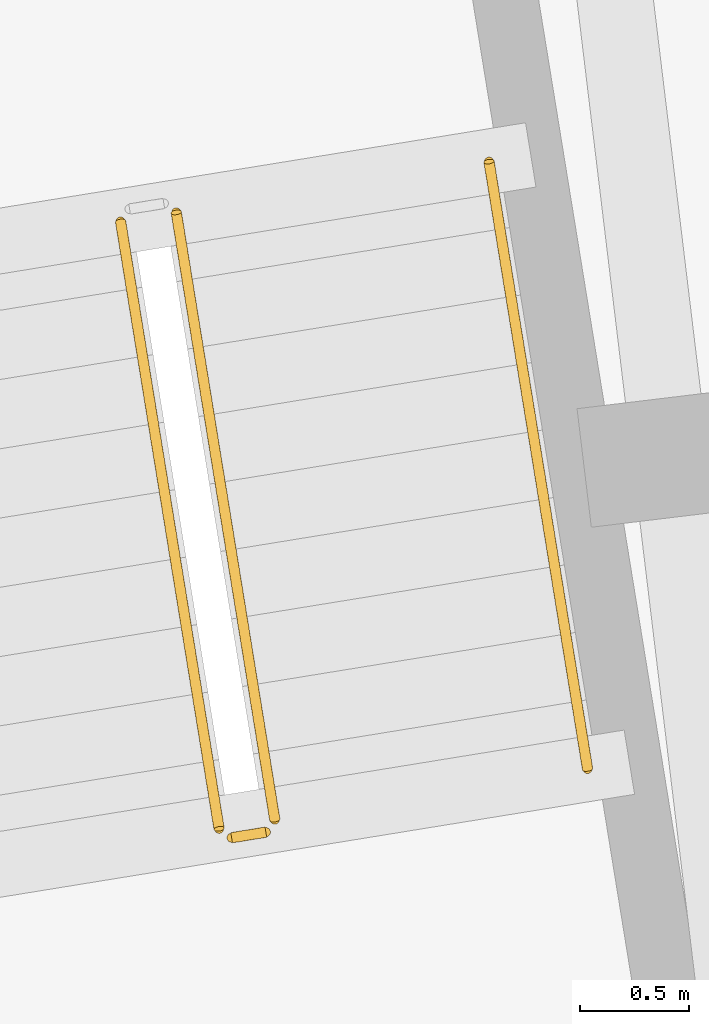
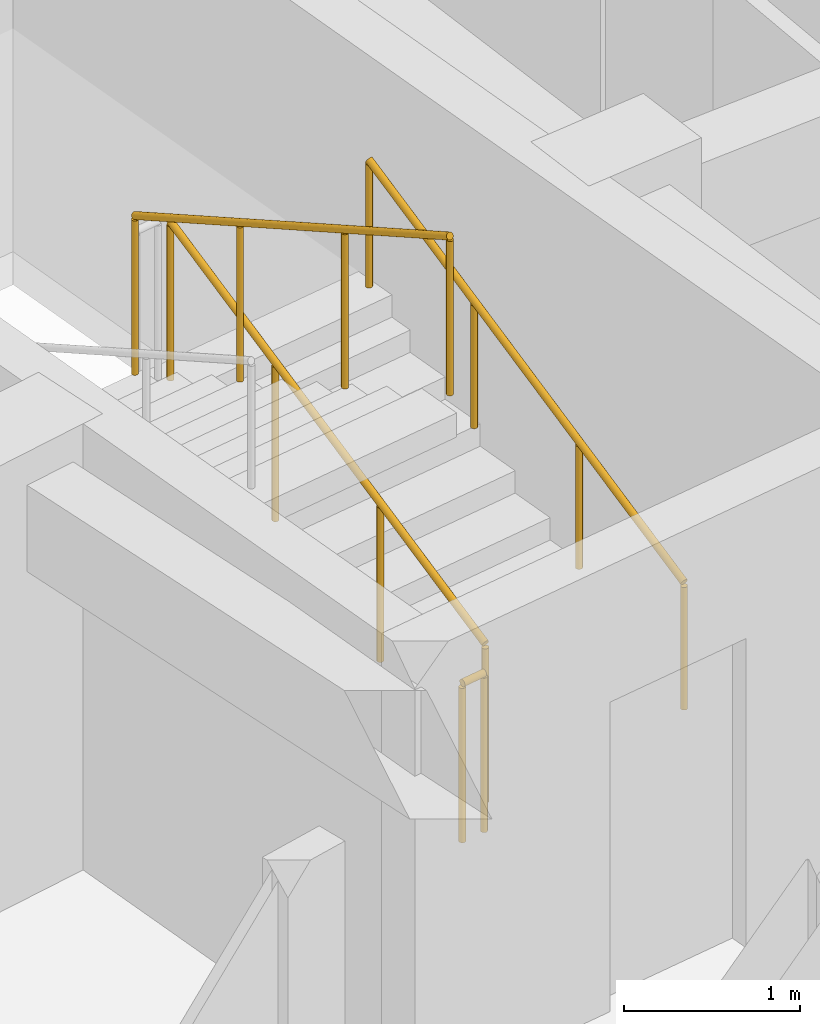
# One storey, part 44 of 56: 4 railings.
"""IFC4 building model written with IfcOpenShell, lengths in metres."""

from ifc_helpers import new_model, si_unit, direction, frame, origin, origin_2d, place, context, subcontext, project, spatial, circle, extrude, material, type_object, element, save


model = new_model("IFC4")

# Units and contexts
model_context = context("Model", 3, precision=1e-05, world=origin(), true_north=direction((0.0, 1.0)))
body_context = subcontext(model_context, "Body", "Model", "MODEL_VIEW")
ifc_project = project(units=[si_unit("LENGTHUNIT", "METRE"), si_unit("AREAUNIT", "SQUARE_METRE"), si_unit("VOLUMEUNIT", "CUBIC_METRE"), si_unit("PLANEANGLEUNIT", "RADIAN"), si_unit("MASSUNIT", "GRAM", prefix="KILO")], contexts=[model_context])

# Site, building, storey
site_placement = place(None, origin())
site = spatial("IfcSite", under=ifc_project, at=site_placement, CompositionType="ELEMENT")
building_placement = place(site_placement, origin())
building = spatial("IfcBuilding", under=site, at=building_placement, Name="Zimvara Arc Housing Community", CompositionType="ELEMENT")
storey_placement = place(building_placement, frame((0.0, 0.0, 17.39990234375)))
storey = spatial("IfcBuildingStorey", under=building, at=storey_placement, Name="L05", CompositionType="ELEMENT", Elevation=17.39990234375)

# Railings
ifc_material_1 = material(Name="Anodised Aluminium AW-6063", Category="aluminium")
railing_type_1 = type_object("IfcRailingType", Name="RLG-BAL-1120", PredefinedType="BALUSTRADE", material=ifc_material_1)
railing_1_placement = place(storey_placement, frame((36.732421875, 96.243896484375, 0.155029296875)))
element("IfcRailing", 1, at=railing_1_placement, inside=storey, type_object=railing_type_1, Name="L05 ST-A2 stair guard 1", PredefinedType="BALUSTRADE", context=body_context, shape_type="SweptSolid", body=[
    extrude(circle(Radius=0.02392578125, at=origin_2d()), frame((0.0, 0.0, 1.09619140625), z_axis=(-0.143721784145, 0.885666177347, 0.441519502474), x_axis=(-0.987087819028, -0.160180016, 0.0)), (0.0, 0.0, 1.0), 3.15966796875),
    extrude(circle(Radius=0.02099609375, at=origin_2d()), origin(), (0.0, 0.0, 1.0), 1.072021484375),
    extrude(circle(Radius=0.02099609375, at=origin_2d()), frame((-0.1513671875, 0.932861328125, 0.465087890625)), (0.0, 0.0, 1.0), 1.072021484375),
    extrude(circle(Radius=0.02099609375, at=origin_2d()), frame((-0.302734375, 1.865478515625, 0.929931640625)), (0.0, 0.0, 1.0), 1.072021484375),
    extrude(circle(Radius=0.02099609375, at=origin_2d()), frame((-0.4541015625, 2.79833984375, 1.39501953125)), (0.0, 0.0, 1.0), 1.072021484375),
])
railing_2_placement = place(storey_placement, frame((36.021728515625, 99.00048828125, 1.705078125)))
element("IfcRailing", 2, at=railing_2_placement, inside=storey, type_object=railing_type_1, Name="L05 ST-A2 stair guard 3", PredefinedType="BALUSTRADE", context=body_context, shape_type="SweptSolid", body=[
    extrude(circle(Radius=0.02392578125, at=origin_2d()), frame((0.0, 0.0, 1.09619140625), z_axis=(0.143721784145, -0.885666177347, 0.441519502474), x_axis=(0.987087819028, 0.160180016, 0.0)), (0.0, 0.0, 1.0), 3.15966796875),
    extrude(circle(Radius=0.02099609375, at=origin_2d()), origin(), (0.0, 0.0, 1.0), 1.072021484375),
    extrude(circle(Radius=0.02099609375, at=origin_2d()), frame((0.1513671875, -0.932861328125, 0.465087890625)), (0.0, 0.0, 1.0), 1.072021484375),
    extrude(circle(Radius=0.02099609375, at=origin_2d()), frame((0.302734375, -1.865478515625, 0.929931640625)), (0.0, 0.0, 1.0), 1.072021484375),
    extrude(circle(Radius=0.02099609375, at=origin_2d()), frame((0.4541015625, -2.79833984375, 1.39501953125)), (0.0, 0.0, 1.0), 1.072021484375),
])
railing_3_placement = place(storey_placement, frame((36.691162109375, 96.1865234375, 0.0)))
element("IfcRailing", 3, at=railing_3_placement, inside=storey, type_object=railing_type_1, Name="L05 ST-A2 stair guard 4", PredefinedType="BALUSTRADE", context=body_context, shape_type="SweptSolid", body=[
    extrude(circle(Radius=0.02392578125, at=origin_2d()), frame((0.0, 0.0, 1.09619140625), z_axis=(-0.987085924886, -0.160191687964, 0.0), x_axis=(0.160191687964, -0.987085924886, 0.0)), (0.0, 0.0, 1.0), 0.159912109375),
    extrude(circle(Radius=0.02099609375, at=origin_2d()), origin(), (0.0, 0.0, 1.0), 1.072021484375),
    extrude(circle(Radius=0.02099609375, at=origin_2d()), frame((-0.157958984375, -0.025634765625, 0.0)), (0.0, 0.0, 1.0), 1.072021484375),
])
ifc_material_2 = material(Name="Anodised Aluminium AW-6063", Category="aluminium")
railing_type_2 = type_object("IfcRailingType", Name="RLG-HND-900", PredefinedType="HANDRAIL", material=ifc_material_2)
railing_4_placement = place(storey_placement, frame((38.173583984375, 96.477783203125, 0.155029296875)))
element("IfcRailing", 4, at=railing_4_placement, inside=storey, type_object=railing_type_2, Name="L05 ST-A2 stair handrail 1", PredefinedType="HANDRAIL", context=body_context, shape_type="SweptSolid", body=[
    extrude(circle(Radius=0.02392578125, at=origin_2d()), frame((0.0, 0.0, 0.8759765625), z_axis=(-0.143721784145, 0.885666177347, 0.441519502474), x_axis=(-0.987087819028, -0.160180016, 0.0)), (0.0, 0.0, 1.0), 3.15966796875),
    extrude(circle(Radius=0.02099609375, at=origin_2d()), origin(), (0.0, 0.0, 1.0), 0.851806640625),
    extrude(circle(Radius=0.02099609375, at=origin_2d()), frame((-0.1513671875, 0.932861328125, 0.465087890625)), (0.0, 0.0, 1.0), 0.851806640625),
    extrude(circle(Radius=0.02099609375, at=origin_2d()), frame((-0.302734375, 1.865478515625, 0.929931640625)), (0.0, 0.0, 1.0), 0.851806640625),
    extrude(circle(Radius=0.02099609375, at=origin_2d()), frame((-0.4541015625, 2.79833984375, 1.39501953125)), (0.0, 0.0, 1.0), 0.851806640625),
])

save(model, "model.ifc")
